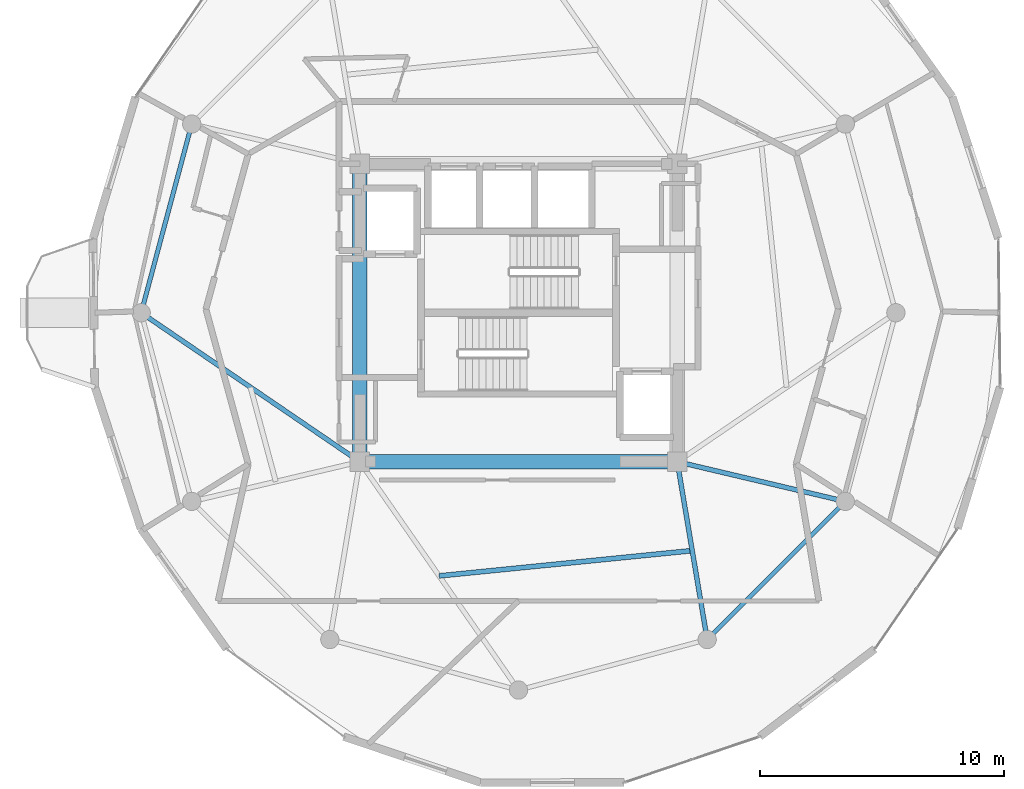
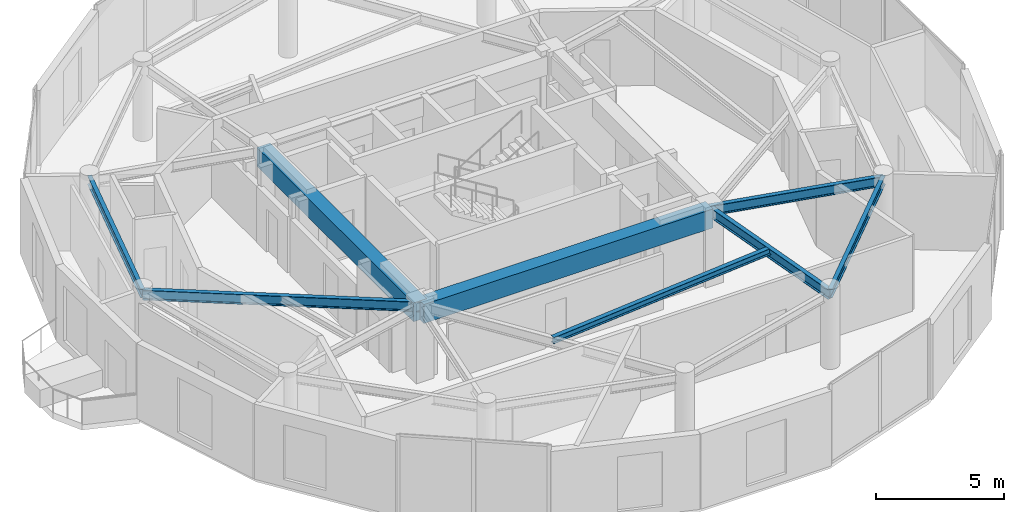
# One storey, part 5 of 18: 8 beams.
"""IFC4 building model written with IfcOpenShell, lengths in metres."""

from ifc_helpers import new_model, si_unit, direction, frame, origin, origin_2d, place, context, subcontext, project, spatial, rectangle, i_section, extrude, material, material_profile, profile_set, type_object, element, save


model = new_model("IFC4")

# Units and contexts
model_context = context("Model", 3, precision=1e-05, world=origin(), true_north=direction((0.0, 1.0)))
body_context = subcontext(model_context, "Body", "Model", "MODEL_VIEW")
ifc_project = project(units=[si_unit("LENGTHUNIT", "METRE"), si_unit("AREAUNIT", "SQUARE_METRE"), si_unit("VOLUMEUNIT", "CUBIC_METRE"), si_unit("PLANEANGLEUNIT", "RADIAN"), si_unit("MASSUNIT", "GRAM", prefix="KILO")], contexts=[model_context])

# Site, building, storey
site_placement = place(None, origin())
site = spatial("IfcSite", under=ifc_project, at=site_placement, CompositionType="ELEMENT")
building_placement = place(site_placement, origin())
building = spatial("IfcBuilding", under=site, at=building_placement, Name="Solvirekh Grand Hotel", CompositionType="ELEMENT")
storey_placement = place(building_placement, frame((0.0, 0.0, 250.60009765625)))
storey = spatial("IfcBuildingStorey", under=building, at=storey_placement, Name="L65", CompositionType="ELEMENT", Elevation=250.60009765625)

# Beams
ifc_material_1 = material(Name="Concrete C50/60", Category="concrete")
ifc_material_profile_1 = material_profile(ifc_material_1, rectangle(XDim=0.60009765625, YDim=0.89990234375, at=origin_2d()), Name="RC BEAM 600X900")
ifc_profile_set_1 = profile_set([ifc_material_profile_1], Name="Concrete C50/60")
beam_type_1 = type_object("IfcBeamType", Name="Beam_Core_RC900", PredefinedType="BEAM", material=ifc_profile_set_1)
beam_1_placement = place(storey_placement, frame((-6.5, -6.10009765625, 3.119873046875), z_axis=(1.0, 0.0, 0.0), x_axis=(0.0, 1.0, 0.0)))
element("IfcBeam", 1, at=beam_1_placement, inside=storey, type_object=beam_type_1, Name="L65 core coupling ring beam 1", PredefinedType="BEAM", context=body_context, shape_type="SweptSolid", body=[
    extrude(rectangle(XDim=0.60009765625, YDim=0.89990234375, at=origin_2d()), origin(), (0.0, 0.0, 1.0), 13.0),
])
beam_2_placement = place(storey_placement, frame((-6.5, 6.10009765625, 3.119873046875), z_axis=(0.0, -1.0, 0.0), x_axis=(1.0, 0.0, 0.0)))
element("IfcBeam", 2, at=beam_2_placement, inside=storey, type_object=beam_type_1, Name="L65 core coupling ring beam 4", PredefinedType="BEAM", context=body_context, shape_type="SweptSolid", body=[
    extrude(rectangle(XDim=0.60009765625, YDim=0.89990234375, at=origin_2d()), origin(), (0.0, 0.0, 1.0), 12.2001953125),
])
ifc_material_2 = material(Name="Steel S355", Category="steel")
ifc_material_profile_2 = material_profile(ifc_material_2, i_section(OverallWidth=0.194091796875, OverallDepth=0.468994140625, WebThickness=0.010986328125, FlangeThickness=0.01904296875, FilletRadius=0.012939453125, at=origin_2d()), Name="W460X106")
ifc_profile_set_2 = profile_set([ifc_material_profile_2], Name="Steel S355")
beam_type_2 = type_object("IfcBeamType", Name="Beam_Radial_W460H", PredefinedType="BEAM", material=ifc_profile_set_2)
beam_3_placement = place(storey_placement, frame((-6.5, -6.10009765625, 3.3349609375), z_axis=(-0.826319370306, 0.563201827285, 0.0), x_axis=(-0.563201827285, -0.826319370306, 0.0)))
element("IfcBeam", 3, at=beam_3_placement, inside=storey, type_object=beam_type_2, Name="L65 radial floor beam R07", PredefinedType="BEAM", context=body_context, shape_type="SweptSolid", body=[
    extrude(i_section(OverallWidth=0.194091796875, OverallDepth=0.468994140625, WebThickness=0.010986328125, FlangeThickness=0.01904296875, FilletRadius=0.012939453125, at=origin_2d()), origin(), (0.0, 0.0, 1.0), 10.8310546875),
])
beam_4_placement = place(storey_placement, frame((6.5, -6.10009765625, 3.3349609375), z_axis=(0.165954049106, -0.986133486697, 0.0), x_axis=(0.986133486697, 0.165954049106, 0.0)))
element("IfcBeam", 4, at=beam_4_placement, inside=storey, type_object=beam_type_2, Name="L65 radial floor beam R11", PredefinedType="BEAM", context=body_context, shape_type="SweptSolid", body=[
    extrude(i_section(OverallWidth=0.194091796875, OverallDepth=0.468994140625, WebThickness=0.010986328125, FlangeThickness=0.01904296875, FilletRadius=0.012939453125, at=origin_2d()), origin(), (0.0, 0.0, 1.0), 7.382080078125),
])
beam_5_placement = place(storey_placement, frame((6.5, -6.10009765625, 3.3349609375), z_axis=(0.973221147544, -0.229870828888, 0.0), x_axis=(0.229870828888, 0.973221147544, 0.0)))
element("IfcBeam", 5, at=beam_5_placement, inside=storey, type_object=beam_type_2, Name="L65 radial floor beam R12", PredefinedType="BEAM", context=body_context, shape_type="SweptSolid", body=[
    extrude(i_section(OverallWidth=0.194091796875, OverallDepth=0.468994140625, WebThickness=0.010986328125, FlangeThickness=0.01904296875, FilletRadius=0.012939453125, at=origin_2d()), origin(), (0.0, 0.0, 1.0), 7.069091796875),
])
ifc_material_profile_3 = material_profile(ifc_material_2, i_section(OverallWidth=0.202880859375, OverallDepth=0.302978515625, WebThickness=0.008056640625, FlangeThickness=0.012939453125, FilletRadius=0.010009765625, at=origin_2d()), Name="W310X60")
ifc_profile_set_3 = profile_set([ifc_material_profile_3], Name="Steel S355")
beam_type_3 = type_object("IfcBeamType", Name="Joist_Floor_W310", PredefinedType="JOIST", material=ifc_profile_set_3)
beam_6_placement = place(storey_placement, frame((-3.25, -10.77490234375, 3.41796875), z_axis=(0.995049485097, 0.099380693338, 0.0), x_axis=(-0.099380693338, 0.995049485097, 0.0)))
element("IfcBeam", 6, at=beam_6_placement, inside=storey, type_object=beam_type_3, Name="L65 secondary composite floor joist 10", PredefinedType="JOIST", context=body_context, shape_type="SweptSolid", body=[
    extrude(i_section(OverallWidth=0.202880859375, OverallDepth=0.302978515625, WebThickness=0.008056640625, FlangeThickness=0.012939453125, FilletRadius=0.010009765625, at=origin_2d()), origin(), (0.0, 0.0, 1.0), 10.41357421875),
])
ifc_material_profile_4 = material_profile(ifc_material_2, i_section(OverallWidth=0.180908203125, OverallDepth=0.4169921875, WebThickness=0.010009765625, FlangeThickness=0.01611328125, FilletRadius=0.011962890625, at=origin_2d()), Name="W410X85")
ifc_profile_set_4 = profile_set([ifc_material_profile_4], Name="Steel S355")
beam_type_4 = type_object("IfcBeamType", Name="Spandrel_Ring_W410", PredefinedType="SPANDREL", material=ifc_profile_set_4)
beam_7_placement = place(storey_placement, frame((-13.3798828125, 7.72509765625, 3.36181640625), z_axis=(-0.258834757072, -0.965921616143, 0.0), x_axis=(0.965921616143, -0.258834757072, 0.0)))
element("IfcBeam", 7, at=beam_7_placement, inside=storey, type_object=beam_type_4, Name="L65 perimeter spandrel beam 6", PredefinedType="SPANDREL", context=body_context, shape_type="SweptSolid", body=[
    extrude(i_section(OverallWidth=0.180908203125, OverallDepth=0.4169921875, WebThickness=0.010009765625, FlangeThickness=0.01611328125, FilletRadius=0.011962890625, at=origin_2d()), origin(), (0.0, 0.0, 1.0), 7.99755859375),
])
beam_8_placement = place(storey_placement, frame((7.72509765625, -13.3798828125, 3.36181640625), z_axis=(0.707106781187, 0.707106781187, 0.0), x_axis=(-0.707106781187, 0.707106781187, 0.0)))
element("IfcBeam", 8, at=beam_8_placement, inside=storey, type_object=beam_type_4, Name="L65 perimeter spandrel beam 11", PredefinedType="SPANDREL", context=body_context, shape_type="SweptSolid", body=[
    extrude(i_section(OverallWidth=0.180908203125, OverallDepth=0.4169921875, WebThickness=0.010009765625, FlangeThickness=0.01611328125, FilletRadius=0.011962890625, at=origin_2d()), origin(), (0.0, 0.0, 1.0), 7.9970703125),
])

save(model, "model.ifc")
